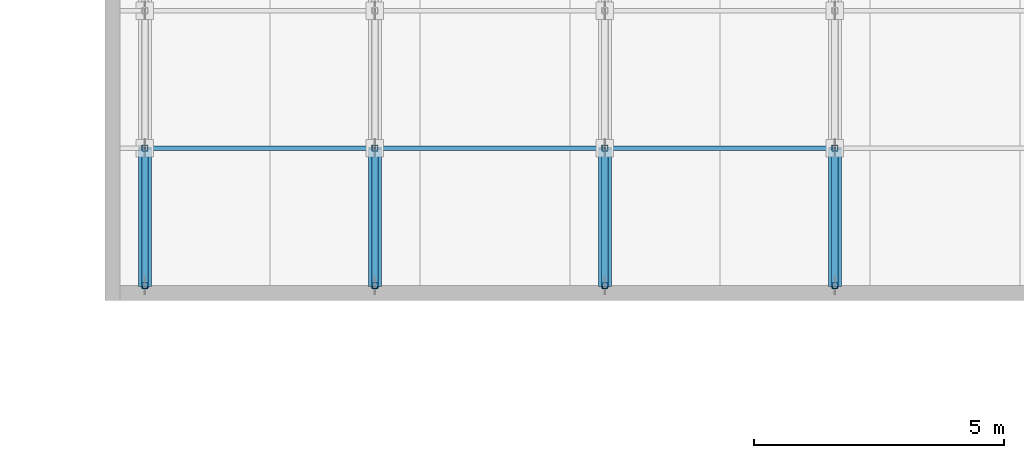
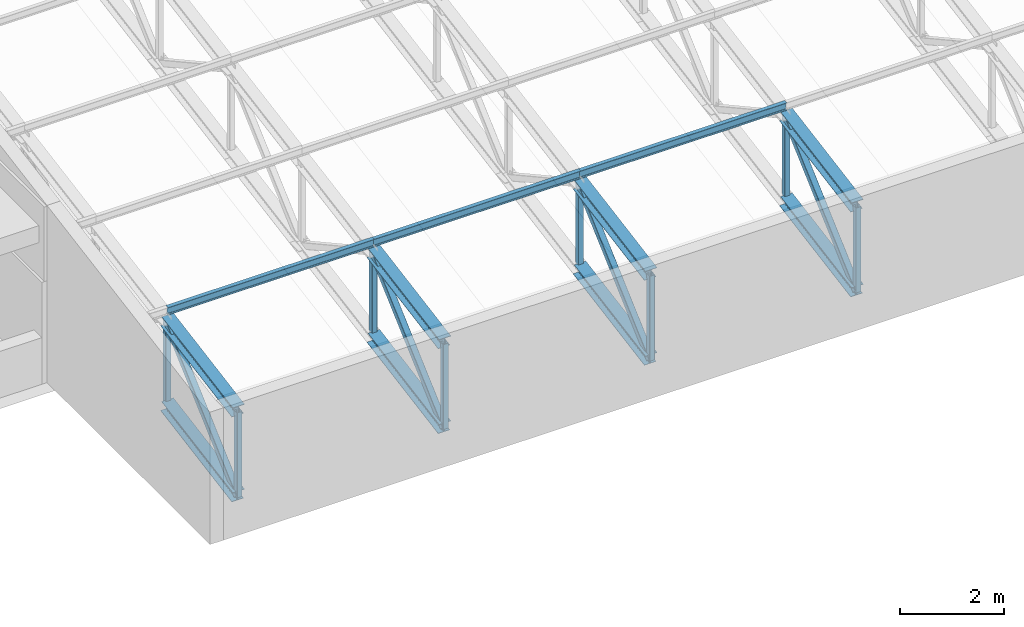
# One storey, part 1 of 22: 23 members.
"""IFC4 building model written with IfcOpenShell, lengths in metres."""

from ifc_helpers import new_model, si_unit, direction, frame, origin, origin_2d, place, context, subcontext, project, spatial, hollow_rectangle, i_section, extrude, material, material_profile, profile_set, type_object, element, save


model = new_model("IFC4")

# Units and contexts
model_context = context("Model", 3, precision=1e-05, world=origin(), true_north=direction((0.0, 1.0)))
body_context = subcontext(model_context, "Body", "Model", "MODEL_VIEW")
ifc_project = project(units=[si_unit("LENGTHUNIT", "METRE"), si_unit("AREAUNIT", "SQUARE_METRE"), si_unit("VOLUMEUNIT", "CUBIC_METRE"), si_unit("PLANEANGLEUNIT", "RADIAN"), si_unit("MASSUNIT", "GRAM", prefix="KILO")], contexts=[model_context])

# Site, building, storey
site_placement = place(None, origin())
site = spatial("IfcSite", under=ifc_project, at=site_placement, CompositionType="ELEMENT")
building_placement = place(site_placement, origin())
building = spatial("IfcBuilding", under=site, at=building_placement, Name="Lunette Opera House", CompositionType="ELEMENT")
storey_placement = place(building_placement, frame((0.0, 0.0, 28.0)))
storey = spatial("IfcBuildingStorey", under=building, at=storey_placement, Name="L05", CompositionType="ELEMENT", Elevation=28.0)

# Members
ifc_material_1 = material(Name="Steel S355", Category="steel")
ifc_material_profile_1 = material_profile(ifc_material_1, i_section(OverallWidth=0.260009765625, OverallDepth=0.25, WebThickness=0.007568359375, FlangeThickness=0.012451171875, FilletRadius=0.02392578125, at=origin_2d()), Name="HEA 260")
ifc_profile_set_1 = profile_set([ifc_material_profile_1], Name="Steel S355")
member_type_1 = type_object("IfcMemberType", Name="CHORD HEA 260", PredefinedType="CHORD", material=ifc_profile_set_1)
for number, where, z_axis, x_axis, name in (
    (1, (10.5, 66.0, 2.695068359375), (0.0, 0.984809952442, 0.173635703618), (-1.0, 0.0, 0.0), "mem-RW-L05-LF-1-TC1"),
    (2, (10.5, 66.0, 0.695068359375), (0.0, 0.984809952442, 0.173635703618), (-1.0, 0.0, 0.0), "mem-RW-L05-LF-1-BC1"),
    (3, (15.10009765625, 66.0, 2.695068359375), (0.0, 0.984809952442, 0.173635703618), (-1.0, 0.0, 0.0), "mem-RW-L05-LF-2-TC1"),
    (4, (15.10009765625, 66.0, 0.695068359375), (0.0, 0.984809952442, 0.173635703618), (-1.0, 0.0, 0.0), "mem-RW-L05-LF-2-BC1"),
    (5, (19.699951171875, 66.0, 2.695068359375), (0.0, 0.984809952442, 0.173635703618), (-1.0, 0.0, 0.0), "mem-RW-L05-LF-3-TC1"),
    (6, (19.699951171875, 66.0, 0.695068359375), (0.0, 0.984809952442, 0.173635703618), (-1.0, 0.0, 0.0), "mem-RW-L05-LF-3-BC1"),
    (7, (24.300048828125, 66.0, 2.695068359375), (0.0, 0.984809952442, 0.173635703618), (-1.0, 0.0, 0.0), "mem-RW-L05-LF-4-TC1"),
    (8, (24.300048828125, 66.0, 0.695068359375), (0.0, 0.984809952442, 0.173635703618), (-1.0, 0.0, 0.0), "mem-RW-L05-LF-4-BC1"),
):
    element("IfcMember", number, at=place(storey_placement, frame(where, z_axis=z_axis, x_axis=x_axis)), inside=storey, type_object=member_type_1, Name=name, PredefinedType="CHORD", context=body_context, shape_type="SweptSolid", body=[
        extrude(i_section(OverallWidth=0.260009765625, OverallDepth=0.25, WebThickness=0.007568359375, FlangeThickness=0.012451171875, FilletRadius=0.02392578125, at=origin_2d()), origin(), (0.0, 0.0, 1.0), 2.79248046875),
    ])
ifc_material_2 = material(Name="Steel S355", Category="steel")
ifc_material_profile_2 = material_profile(ifc_material_2, hollow_rectangle(XDim=0.139892578125, YDim=0.139892578125, WallThickness=0.006103515625, InnerFilletRadius=0.006103515625, OuterFilletRadius=0.011962890625, at=origin_2d()), Name="RHS 140X140X6")
ifc_profile_set_2 = profile_set([ifc_material_profile_2], Name="Steel S355")
member_type_2 = type_object("IfcMemberType", Name="DIAGONAL RHS 140X140X6", PredefinedType="BRACE", material=ifc_profile_set_2)
for number, where, z_axis, x_axis, name in (
    (9, (10.5, 66.0, 0.695068359375), (0.0, 0.741969451931, 0.670433689787), (-1.0, 0.0, 0.0), "mem-RW-L05-LF-1-TD1"),
    (10, (15.10009765625, 66.0, 0.695068359375), (0.0, 0.741969451931, 0.670433689787), (-1.0, 0.0, 0.0), "mem-RW-L05-LF-2-TD1"),
    (11, (19.699951171875, 66.0, 0.695068359375), (0.0, 0.741969451931, 0.670433689787), (-1.0, 0.0, 0.0), "mem-RW-L05-LF-3-TD1"),
    (12, (24.300048828125, 66.0, 0.695068359375), (0.0, 0.741969451931, 0.670433689787), (-1.0, 0.0, 0.0), "mem-RW-L05-LF-4-TD1"),
):
    element("IfcMember", number, at=place(storey_placement, frame(where, z_axis=z_axis, x_axis=x_axis)), inside=storey, type_object=member_type_2, Name=name, PredefinedType="BRACE", context=body_context, shape_type="SweptSolid", body=[
        extrude(hollow_rectangle(XDim=0.139892578125, YDim=0.139892578125, WallThickness=0.006103515625, InnerFilletRadius=0.006103515625, OuterFilletRadius=0.011962890625, at=origin_2d()), origin(), (0.0, 0.0, 1.0), 3.706298828125),
    ])
ifc_material_3 = material(Name="Steel S355", Category="steel")
ifc_material_profile_3 = material_profile(ifc_material_3, i_section(OverallWidth=0.091064453125, OverallDepth=0.179931640625, WebThickness=0.00537109375, FlangeThickness=0.008056640625, FilletRadius=0.009033203125, at=origin_2d()), Name="IPE 180")
ifc_profile_set_3 = profile_set([ifc_material_profile_3], Name="Steel S355")
member_type_3 = type_object("IfcMemberType", Name="PURLIN IPE 180", PredefinedType="PURLIN", material=ifc_profile_set_3)
member_1_placement = place(storey_placement, frame((10.5, 68.75, 3.39501953125), z_axis=(1.0, 0.0, 0.0), x_axis=(0.0, 1.0, 0.0)))
element("IfcMember", 13, at=member_1_placement, inside=storey, type_object=member_type_3, Name="mem-RW-L05-LF-PU1-2", PredefinedType="PURLIN", context=body_context, shape_type="SweptSolid", body=[
    extrude(i_section(OverallWidth=0.091064453125, OverallDepth=0.179931640625, WebThickness=0.00537109375, FlangeThickness=0.008056640625, FilletRadius=0.009033203125, at=origin_2d()), origin(), (0.0, 0.0, 1.0), 4.60009765625),
])
member_2_placement = place(storey_placement, frame((15.10009765625, 68.75, 3.39501953125), z_axis=(1.0, 0.0, 0.0), x_axis=(0.0, 1.0, 0.0)))
element("IfcMember", 14, at=member_2_placement, inside=storey, type_object=member_type_3, Name="mem-RW-L05-LF-PU1-3", PredefinedType="PURLIN", context=body_context, shape_type="SweptSolid", body=[
    extrude(i_section(OverallWidth=0.091064453125, OverallDepth=0.179931640625, WebThickness=0.00537109375, FlangeThickness=0.008056640625, FilletRadius=0.009033203125, at=origin_2d()), origin(), (0.0, 0.0, 1.0), 4.599853515625),
])
member_3_placement = place(storey_placement, frame((19.699951171875, 68.75, 3.39501953125), z_axis=(1.0, 0.0, 0.0), x_axis=(0.0, 1.0, 0.0)))
element("IfcMember", 15, at=member_3_placement, inside=storey, type_object=member_type_3, Name="mem-RW-L05-LF-PU1-4", PredefinedType="PURLIN", context=body_context, shape_type="SweptSolid", body=[
    extrude(i_section(OverallWidth=0.091064453125, OverallDepth=0.179931640625, WebThickness=0.00537109375, FlangeThickness=0.008056640625, FilletRadius=0.009033203125, at=origin_2d()), origin(), (0.0, 0.0, 1.0), 4.60009765625),
])
ifc_material_4 = material(Name="Steel S355", Category="steel")
ifc_material_profile_4 = material_profile(ifc_material_4, hollow_rectangle(XDim=0.1201171875, YDim=0.1201171875, WallThickness=0.0048828125, InnerFilletRadius=0.0048828125, OuterFilletRadius=0.010009765625, at=origin_2d()), Name="RHS 120X120X5")
ifc_profile_set_4 = profile_set([ifc_material_profile_4], Name="Steel S355")
member_type_4 = type_object("IfcMemberType", Name="VERTICAL RHS 120X120X5", PredefinedType="POST", material=ifc_profile_set_4)
for number, where, z_axis, x_axis, name in (
    (16, (10.5, 66.0, 0.695068359375), (0.0, 0.0, 1.0), (1.0, 0.0, 0.0), "mem-RW-L05-LF-1-TV1"),
    (17, (10.5, 68.75, 1.179931640625), (0.0, 0.0, 1.0), (1.0, 0.0, 0.0), "mem-RW-L05-LF-1-TV2"),
    (18, (15.10009765625, 66.0, 0.695068359375), (0.0, 0.0, 1.0), (1.0, 0.0, 0.0), "mem-RW-L05-LF-2-TV1"),
    (19, (15.10009765625, 68.75, 1.179931640625), (0.0, 0.0, 1.0), (1.0, 0.0, 0.0), "mem-RW-L05-LF-2-TV2"),
    (20, (19.699951171875, 66.0, 0.695068359375), (0.0, 0.0, 1.0), (1.0, 0.0, 0.0), "mem-RW-L05-LF-3-TV1"),
    (21, (19.699951171875, 68.75, 1.179931640625), (0.0, 0.0, 1.0), (1.0, 0.0, 0.0), "mem-RW-L05-LF-3-TV2"),
    (22, (24.300048828125, 66.0, 0.695068359375), (0.0, 0.0, 1.0), (1.0, 0.0, 0.0), "mem-RW-L05-LF-4-TV1"),
    (23, (24.300048828125, 68.75, 1.179931640625), (0.0, 0.0, 1.0), (1.0, 0.0, 0.0), "mem-RW-L05-LF-4-TV2"),
):
    element("IfcMember", number, at=place(storey_placement, frame(where, z_axis=z_axis, x_axis=x_axis)), inside=storey, type_object=member_type_4, Name=name, PredefinedType="POST", context=body_context, shape_type="SweptSolid", body=[
        extrude(hollow_rectangle(XDim=0.1201171875, YDim=0.1201171875, WallThickness=0.0048828125, InnerFilletRadius=0.0048828125, OuterFilletRadius=0.010009765625, at=origin_2d()), origin(), (0.0, 0.0, 1.0), 2.0),
    ])

save(model, "model.ifc")
